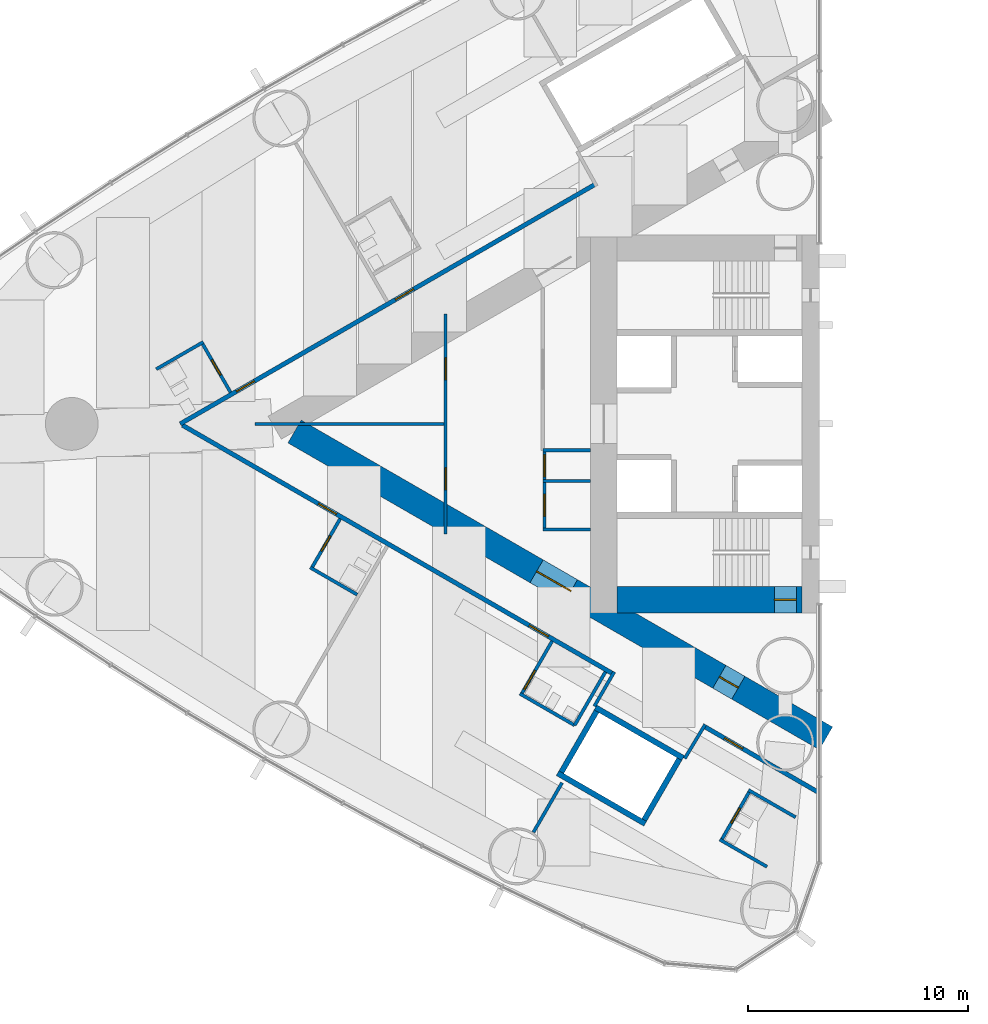
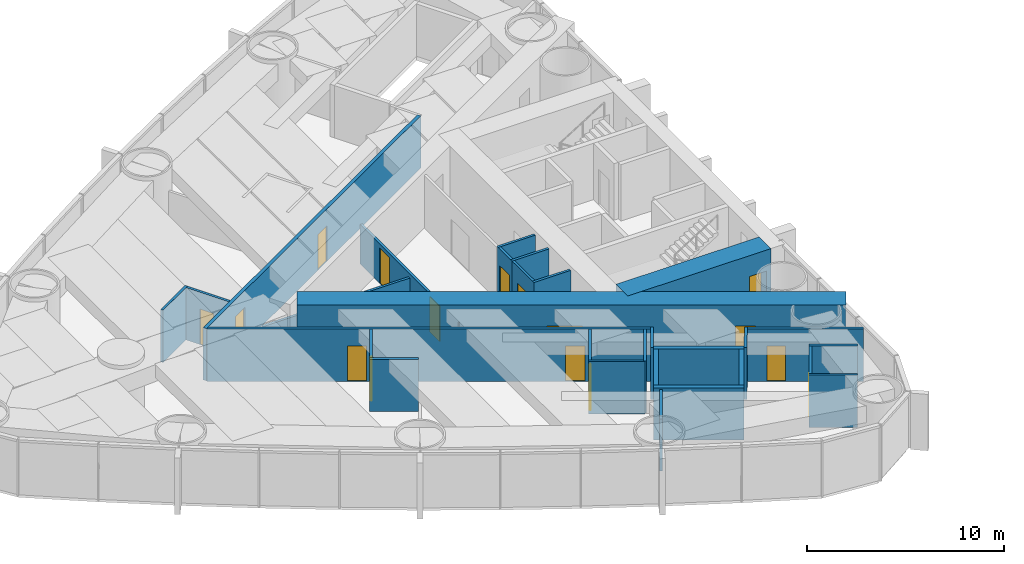
# One storey, part 11 of 18: 29 walls, 16 doors, 16 openings.
"""IFC4 building model written with IfcOpenShell, lengths in metres."""

from ifc_helpers import new_model, si_unit, direction, frame, frame_2d, origin, place, context, subcontext, project, spatial, rectangle, extrude, material, layer, layer_set, type_object, element, fill, save


model = new_model("IFC4")

# Units and contexts
model_context = context("Model", 3, precision=1e-05, world=origin(), true_north=direction((0.0, 1.0)))
body_context = subcontext(model_context, "Body", "Model", "MODEL_VIEW")
ifc_project = project(units=[si_unit("LENGTHUNIT", "METRE"), si_unit("AREAUNIT", "SQUARE_METRE"), si_unit("VOLUMEUNIT", "CUBIC_METRE"), si_unit("PLANEANGLEUNIT", "RADIAN"), si_unit("MASSUNIT", "GRAM", prefix="KILO")], contexts=[model_context])

# Site, building, storey
site_placement = place(None, origin())
site = spatial("IfcSite", under=ifc_project, at=site_placement, CompositionType="ELEMENT")
building_placement = place(site_placement, origin())
building = spatial("IfcBuilding", under=site, at=building_placement, Name="Lancet Gate Hotel", CompositionType="ELEMENT")
storey_placement = place(building_placement, frame((0.0, 0.0, 97.60009765625)))
storey = spatial("IfcBuildingStorey", under=building, at=storey_placement, Name="L25", CompositionType="ELEMENT", Elevation=97.60009765625)

# Wall
ifc_material_1 = material(Name="Moisture resistant board partition")
ifc_layer_1 = layer(ifc_material_1, 0.14990234375)
ifc_layer_set_1 = layer_set([ifc_layer_1], Name="Bathroom wall 150")
wall_type_1 = type_object("IfcWallType", Name="Bathroom wall 150", PredefinedType="PARTITIONING", material=ifc_layer_set_1)
wall_1_placement = place(storey_placement, frame((-55.51513671875, 3.725830078125, 0.0), z_axis=(0.0, 0.0, 1.0), x_axis=(-0.866006523861, -0.500032699561, 0.0)))
element("IfcWall", 1, at=wall_1_placement, inside=storey, type_object=wall_type_1, Name="T1 bathroom wall 150 L25", PredefinedType="PARTITIONING", context=body_context, shape_type="SweptSolid", body=[
    extrude(rectangle(XDim=2.474853515625, YDim=0.14990234375, at=frame_2d((1.2373046875, 0.0))), origin(), (0.0, 0.0, 1.0), 3.25),
])

# Wall, opening, door
wall_2_placement = place(storey_placement, frame((-54.280029296875, 1.4365234375, 0.0), z_axis=(0.0, 0.0, 1.0), x_axis=(-0.500006934395, 0.866021400173, 0.0)))
wall_2 = element("IfcWall", 2, at=wall_2_placement, inside=storey, type_object=wall_type_1, Name="T1 bathroom wall 150 L25", PredefinedType="PARTITIONING", context=body_context, shape_type="SweptSolid", body=[
    extrude(rectangle(XDim=2.60009765625, YDim=0.14990234375, at=frame_2d((1.300048828125, 0.0))), origin(), (0.0, 0.0, 1.0), 3.25),
])
opening_1_placement = place(wall_2_placement, frame((0.89990234375, 0.0, 0.0)))
opening_1 = element("IfcOpeningElement", 3, at=opening_1_placement, cuts=wall_2, Name="Opening 2503-B", PredefinedType="OPENING", context=body_context, shape_type="SweptSolid", body=[
    extrude(rectangle(XDim=0.800048828125, YDim=2.199951171875, at=frame_2d((0.39990234375, 1.10009765625))), frame((0.0, 0.0849609375, 0.0), z_axis=(0.0, -1.0, 0.0), x_axis=(1.0, 0.0, 0.0)), (0.0, 0.0, 1.0), 0.169921875),
])
ifc_material_2 = material(Name="Timber door set", Category="wood")
door_type_1 = type_object("IfcDoorType", Name="Bathroom door 800", OperationType="SINGLE_SWING_RIGHT", PredefinedType="DOOR", material=ifc_material_2)
door_1_placement = place(opening_1_placement, origin())
door_1 = element("IfcDoor", 4, at=door_1_placement, inside=storey, type_object=door_type_1, Name="2503-B", OperationType="SINGLE_SWING_RIGHT", OverallHeight=2.199951171875, OverallWidth=0.800048828125, PredefinedType="DOOR", context=body_context, shape_type="SweptSolid", body=[
    extrude(rectangle(XDim=0.800048828125, YDim=2.199951171875, at=frame_2d((0.39990234375, 1.10009765625))), frame((0.0, 0.02490234375, 0.0), z_axis=(0.0, -1.0, 0.0), x_axis=(1.0, 0.0, 0.0)), (0.0, 0.0, 1.0), 0.050048828125),
])
fill(opening_1, door_1)

# Wall
wall_3_placement = place(storey_placement, frame((-48.51611328125, -7.7666015625, 0.0), z_axis=(0.0, 0.0, 1.0), x_axis=(-0.866031185235, 0.4999899861, 0.0)))
element("IfcWall", 5, at=wall_3_placement, inside=storey, type_object=wall_type_1, Name="T1 bathroom wall 150 L25", PredefinedType="PARTITIONING", context=body_context, shape_type="SweptSolid", body=[
    extrude(rectangle(XDim=2.47509765625, YDim=0.14990234375, at=frame_2d((1.237548828125, 0.0))), origin(), (0.0, 0.0, 1.0), 3.25),
])

# Wall, opening, door
wall_4_placement = place(storey_placement, frame((-49.294677734375, -4.31494140625, 0.0), z_axis=(0.0, 0.0, 1.0), x_axis=(-0.499936506574, -0.866062058628, 0.0)))
wall_4 = element("IfcWall", 6, at=wall_4_placement, inside=storey, type_object=wall_type_1, Name="T1 bathroom wall 150 L25", PredefinedType="PARTITIONING", context=body_context, shape_type="SweptSolid", body=[
    extrude(rectangle(XDim=2.599853515625, YDim=0.14990234375, at=frame_2d((1.2998046875, 0.0))), origin(), (0.0, 0.0, 1.0), 3.25),
])
opening_2_placement = place(wall_4_placement, frame((0.89990234375, 0.0, 0.0)))
opening_2 = element("IfcOpeningElement", 7, at=opening_2_placement, cuts=wall_4, Name="Opening 2505-B", PredefinedType="OPENING", context=body_context, shape_type="SweptSolid", body=[
    extrude(rectangle(XDim=0.800048828125, YDim=2.199951171875, at=frame_2d((0.39990234375, 1.10009765625))), frame((0.0, 0.0849609375, 0.0), z_axis=(0.0, -1.0, 0.0), x_axis=(1.0, 0.0, 0.0)), (0.0, 0.0, 1.0), 0.169921875),
])
door_2_placement = place(opening_2_placement, origin())
door_2 = element("IfcDoor", 8, at=door_2_placement, inside=storey, type_object=door_type_1, Name="2505-B", OperationType="SINGLE_SWING_RIGHT", OverallHeight=2.199951171875, OverallWidth=0.800048828125, PredefinedType="DOOR", context=body_context, shape_type="SweptSolid", body=[
    extrude(rectangle(XDim=0.800048828125, YDim=2.199951171875, at=frame_2d((0.39990234375, 1.10009765625))), frame((0.0, 0.02490234375, 0.0), z_axis=(0.0, -1.0, 0.0), x_axis=(1.0, 0.0, 0.0)), (0.0, 0.0, 1.0), 0.050048828125),
])
fill(opening_2, door_2)

# Wall
wall_5_placement = place(storey_placement, frame((-38.630126953125, -13.705322265625, 0.0), z_axis=(0.0, 0.0, 1.0), x_axis=(-0.866018712932, 0.500011588718, 0.0)))
element("IfcWall", 9, at=wall_5_placement, inside=storey, type_object=wall_type_1, Name="T1 bathroom wall 150 L25", PredefinedType="PARTITIONING", context=body_context, shape_type="SweptSolid", body=[
    extrude(rectangle(XDim=2.875, YDim=0.14990234375, at=frame_2d((1.4375, 0.0))), origin(), (0.0, 0.0, 1.0), 3.25),
])

# Wall, opening, door
wall_6_placement = place(storey_placement, frame((-39.65478515625, -9.88037109375, 0.0), z_axis=(0.0, 0.0, 1.0), x_axis=(-0.500049511043, -0.865996816683, 0.0)))
wall_6 = element("IfcWall", 10, at=wall_6_placement, inside=storey, type_object=wall_type_1, Name="T1 bathroom wall 150 L25", PredefinedType="PARTITIONING", context=body_context, shape_type="SweptSolid", body=[
    extrude(rectangle(XDim=2.800048828125, YDim=0.14990234375, at=frame_2d((1.39990234375, 0.0))), origin(), (0.0, 0.0, 1.0), 3.25),
])
opening_3_placement = place(wall_6_placement, frame((1.550048828125, 0.0, 0.0)))
opening_3 = element("IfcOpeningElement", 11, at=opening_3_placement, cuts=wall_6, Name="Opening 2507-B", PredefinedType="OPENING", context=body_context, shape_type="SweptSolid", body=[
    extrude(rectangle(XDim=1.0, YDim=2.199951171875, at=frame_2d((0.5, 1.10009765625))), frame((0.0, 0.0849609375, 0.0), z_axis=(0.0, -1.0, 0.0), x_axis=(1.0, 0.0, 0.0)), (0.0, 0.0, 1.0), 0.169921875),
])
ifc_material_3 = material(Name="Timber door set", Category="wood")
door_type_2 = type_object("IfcDoorType", Name="Accessible en-suite door 1000", OperationType="SINGLE_SWING_RIGHT", PredefinedType="DOOR", material=ifc_material_3)
door_3_placement = place(opening_3_placement, origin())
door_3 = element("IfcDoor", 12, at=door_3_placement, inside=storey, type_object=door_type_2, Name="2507-B", OperationType="SINGLE_SWING_RIGHT", OverallHeight=2.199951171875, OverallWidth=1.0, PredefinedType="DOOR", context=body_context, shape_type="SweptSolid", body=[
    extrude(rectangle(XDim=1.0, YDim=2.199951171875, at=frame_2d((0.5, 1.10009765625))), frame((0.0, 0.02490234375, 0.0), z_axis=(0.0, -1.0, 0.0), x_axis=(1.0, 0.0, 0.0)), (0.0, 0.0, 1.0), 0.050048828125),
])
fill(opening_3, door_3)

# Walls
wall_7_placement = place(storey_placement, frame((-37.22998046875, -11.280517578125, 0.0), z_axis=(0.0, 0.0, 1.0), x_axis=(-0.500049511043, -0.865996816683, 0.0)))
element("IfcWall", 13, at=wall_7_placement, inside=storey, type_object=wall_type_1, Name="T1 bathroom wall 150 L25", PredefinedType="PARTITIONING", context=body_context, shape_type="SweptSolid", body=[
    extrude(rectangle(XDim=2.800048828125, YDim=0.14990234375, at=frame_2d((1.39990234375, 0.0))), origin(), (0.0, 0.0, 1.0), 3.25),
])
wall_8_placement = place(storey_placement, frame((-29.8818359375, -20.1416015625, 0.0), z_axis=(0.0, 0.0, 1.0), x_axis=(-0.866031185235, 0.4999899861, 0.0)))
element("IfcWall", 14, at=wall_8_placement, inside=storey, type_object=wall_type_1, Name="T1 bathroom wall 150 L25", PredefinedType="PARTITIONING", context=body_context, shape_type="SweptSolid", body=[
    extrude(rectangle(XDim=2.47509765625, YDim=0.14990234375, at=frame_2d((1.237548828125, 0.0))), origin(), (0.0, 0.0, 1.0), 3.25),
])

# Wall, opening, door
wall_9_placement = place(storey_placement, frame((-30.660400390625, -16.68994140625, 0.0), z_axis=(0.0, 0.0, 1.0), x_axis=(-0.499936506574, -0.866062058628, 0.0)))
wall_9 = element("IfcWall", 15, at=wall_9_placement, inside=storey, type_object=wall_type_1, Name="T1 bathroom wall 150 L25", PredefinedType="PARTITIONING", context=body_context, shape_type="SweptSolid", body=[
    extrude(rectangle(XDim=2.599853515625, YDim=0.14990234375, at=frame_2d((1.2998046875, 0.0))), origin(), (0.0, 0.0, 1.0), 3.25),
])
opening_4_placement = place(wall_9_placement, frame((0.89990234375, 0.0, 0.0)))
opening_4 = element("IfcOpeningElement", 16, at=opening_4_placement, cuts=wall_9, Name="Opening 2508-B", PredefinedType="OPENING", context=body_context, shape_type="SweptSolid", body=[
    extrude(rectangle(XDim=0.800048828125, YDim=2.199951171875, at=frame_2d((0.39990234375, 1.10009765625))), frame((0.0, 0.0849609375, 0.0), z_axis=(0.0, -1.0, 0.0), x_axis=(1.0, 0.0, 0.0)), (0.0, 0.0, 1.0), 0.169921875),
])
door_4_placement = place(opening_4_placement, origin())
door_4 = element("IfcDoor", 17, at=door_4_placement, inside=storey, type_object=door_type_1, Name="2508-B", OperationType="SINGLE_SWING_RIGHT", OverallHeight=2.199951171875, OverallWidth=0.800048828125, PredefinedType="DOOR", context=body_context, shape_type="SweptSolid", body=[
    extrude(rectangle(XDim=0.800048828125, YDim=2.199951171875, at=frame_2d((0.39990234375, 1.10009765625))), frame((0.0, 0.02490234375, 0.0), z_axis=(0.0, -1.0, 0.0), x_axis=(1.0, 0.0, 0.0)), (0.0, 0.0, 1.0), 0.050048828125),
])
fill(opening_4, door_4)

# Wall
wall_10_placement = place(storey_placement, frame((-28.581787109375, -17.889892578125, 0.0), z_axis=(0.0, 0.0, 1.0), x_axis=(-0.866073894602, 0.499916002032, 0.0)))
element("IfcWall", 18, at=wall_10_placement, inside=storey, type_object=wall_type_1, Name="T1 bathroom wall 150 L25", PredefinedType="PARTITIONING", context=body_context, shape_type="SweptSolid", body=[
    extrude(rectangle(XDim=2.47509765625, YDim=0.14990234375, at=frame_2d((1.237548828125, 0.0))), origin(), (0.0, 0.0, 1.0), 3.25),
])

# Wall, openings, doors
ifc_material_4 = material(Name="Concrete C70/85", Category="concrete")
ifc_layer_2 = layer(ifc_material_4, 1.199951171875)
ifc_layer_set_2 = layer_set([ifc_layer_2], Name="Buttress wall 1200")
wall_type_2 = type_object("IfcWallType", Name="Buttress wall 1200", PredefinedType="SHEAR", material=ifc_layer_set_2)
wall_11_placement = place(storey_placement, frame((-27.199951171875, -14.300048828125, 0.0), z_axis=(0.0, 0.0, 1.0), x_axis=(-0.866024021859, 0.500002393557, 0.0)))
wall_11 = element("IfcWall", 19, at=wall_11_placement, inside=storey, type_object=wall_type_2, Name="T1 buttress wall N L25", PredefinedType="SHEAR", context=body_context, shape_type="SweptSolid", body=[
    extrude(rectangle(XDim=27.906982421875, YDim=1.199951171875, at=frame_2d((13.95361328125, 0.0))), origin(), (0.0, 0.0, 1.0), 3.5),
])
opening_5_placement = place(wall_11_placement, frame((4.60009765625, 0.0, 0.0)))
opening_5 = element("IfcOpeningElement", 20, at=opening_5_placement, cuts=wall_11, Name="Opening T1-L25-LN", PredefinedType="OPENING", context=body_context, shape_type="SweptSolid", body=[
    extrude(rectangle(XDim=1.0, YDim=2.199951171875, at=frame_2d((0.5, 1.10009765625))), frame((0.0, 0.60986328125, 0.0), z_axis=(0.0, -1.0, 0.0), x_axis=(1.0, 0.0, 0.0)), (0.0, 0.0, 1.0), 1.219970703125),
])
opening_6_placement = place(wall_11_placement, frame((13.39453125, 0.0, 0.0)))
opening_6 = element("IfcOpeningElement", 21, at=opening_6_placement, cuts=wall_11, Name="Opening T1-L25-LHN", PredefinedType="OPENING", context=body_context, shape_type="SweptSolid", body=[
    extrude(rectangle(XDim=1.800048828125, YDim=2.199951171875, at=frame_2d((0.89990234375, 1.10009765625))), frame((0.0, 0.60986328125, 0.0), z_axis=(0.0, -1.0, 0.0), x_axis=(1.0, 0.0, 0.0)), (0.0, 0.0, 1.0), 1.219970703125),
])
ifc_material_5 = material(Name="Timber door set", Category="wood")
door_type_3 = type_object("IfcDoorType", Name="Lobby double door 1800", OperationType="DOUBLE_DOOR_SINGLE_SWING", PredefinedType="DOOR", material=ifc_material_5)
door_5_placement = place(opening_6_placement, origin())
door_5 = element("IfcDoor", 22, at=door_5_placement, inside=storey, type_object=door_type_3, Name="T1-L25-LHN", OperationType="DOUBLE_DOOR_SINGLE_SWING", OverallHeight=2.199951171875, OverallWidth=1.800048828125, PredefinedType="DOOR", context=body_context, shape_type="SweptSolid", body=[
    extrude(rectangle(XDim=1.800048828125, YDim=2.199951171875, at=frame_2d((0.89990234375, 1.10009765625))), frame((0.0, 0.02490234375, 0.0), z_axis=(0.0, -1.0, 0.0), x_axis=(1.0, 0.0, 0.0)), (0.0, 0.0, 1.0), 0.050048828125),
])
fill(opening_6, door_5)
ifc_material_6 = material(Name="Timber door set", Category="wood")
door_type_4 = type_object("IfcDoorType", Name="Stair lobby door 1000", OperationType="SINGLE_SWING_LEFT", PredefinedType="DOOR", material=ifc_material_6)
door_6_placement = place(opening_5_placement, origin())
door_6 = element("IfcDoor", 23, at=door_6_placement, inside=storey, type_object=door_type_4, Name="T1-L25-LN", OperationType="SINGLE_SWING_LEFT", OverallHeight=2.199951171875, OverallWidth=1.0, PredefinedType="DOOR", context=body_context, shape_type="SweptSolid", body=[
    extrude(rectangle(XDim=1.0, YDim=2.199951171875, at=frame_2d((0.5, 1.10009765625))), frame((0.0, 0.02490234375, 0.0), z_axis=(0.0, -1.0, 0.0), x_axis=(1.0, 0.0, 0.0)), (0.0, 0.0, 1.0), 0.050048828125),
])
fill(opening_5, door_6)

# Wall, opening, door
ifc_material_7 = material(Name="Concrete C70/85", Category="concrete")
ifc_layer_3 = layer(ifc_material_7, 1.199951171875)
ifc_layer_set_3 = layer_set([ifc_layer_3], Name="Core wall 1200")
wall_type_3 = type_object("IfcWallType", Name="Core wall 1200", PredefinedType="SHEAR", material=ifc_layer_set_3)
wall_12_placement = place(storey_placement, frame((-28.300048828125, -8.0, 0.0), z_axis=(0.0, 0.0, 1.0), x_axis=(-1.0, 0.0, 0.0)))
wall_12 = element("IfcWall", 24, at=wall_12_placement, inside=storey, type_object=wall_type_3, Name="T1 core wall side-N L25", PredefinedType="SHEAR", context=body_context, shape_type="SweptSolid", body=[
    extrude(rectangle(XDim=8.39990234375, YDim=1.199951171875, at=frame_2d((4.199951171875, 0.0))), origin(), (0.0, 0.0, 1.0), 3.5),
])
opening_7_placement = place(wall_12_placement, frame((0.25, 0.0, 0.0)))
opening_7 = element("IfcOpeningElement", 25, at=opening_7_placement, cuts=wall_12, Name="Opening T1-L25-ST2", PredefinedType="OPENING", context=body_context, shape_type="SweptSolid", body=[
    extrude(rectangle(XDim=1.0, YDim=2.199951171875, at=frame_2d((0.5, 1.10009765625))), frame((0.0, 0.60986328125, 0.0), z_axis=(0.0, -1.0, 0.0), x_axis=(1.0, 0.0, 0.0)), (0.0, 0.0, 1.0), 1.219970703125),
])
ifc_material_8 = material(Name="Timber door set", Category="wood")
door_type_5 = type_object("IfcDoorType", Name="Stair door 1000", OperationType="SINGLE_SWING_RIGHT", PredefinedType="DOOR", material=ifc_material_8)
door_7_placement = place(opening_7_placement, origin())
door_7 = element("IfcDoor", 26, at=door_7_placement, inside=storey, type_object=door_type_5, Name="T1-L25-ST2", OperationType="SINGLE_SWING_RIGHT", OverallHeight=2.199951171875, OverallWidth=1.0, PredefinedType="DOOR", context=body_context, shape_type="SweptSolid", body=[
    extrude(rectangle(XDim=1.0, YDim=2.199951171875, at=frame_2d((0.5, 1.10009765625))), frame((0.0, 0.02490234375, 0.0), z_axis=(0.0, -1.0, 0.0), x_axis=(1.0, 0.0, 0.0)), (0.0, 0.0, 1.0), 0.050048828125),
])
fill(opening_7, door_7)

# Wall, openings, doors
ifc_material_9 = material(Name="Gypsum board partition")
ifc_layer_4 = layer(ifc_material_9, 0.199951171875)
ifc_layer_set_4 = layer_set([ifc_layer_4], Name="Corridor wall 200")
wall_type_4 = type_object("IfcWallType", Name="Corridor wall 200", PredefinedType="PARTITIONING", material=ifc_layer_set_4)
wall_13_placement = place(storey_placement, frame((-37.699951171875, 10.8935546875, 0.0), z_axis=(0.0, 0.0, 1.0), x_axis=(-0.866027905338, -0.499995667157, 0.0)))
wall_13 = element("IfcWall", 27, at=wall_13_placement, inside=storey, type_object=wall_type_4, Name="T1 corridor wall 200 L25", PredefinedType="PARTITIONING", context=body_context, shape_type="SweptSolid", body=[
    extrude(rectangle(XDim=21.787353515625, YDim=0.199951171875, at=frame_2d((10.8935546875, 0.0))), origin(), (0.0, 0.0, 1.0), 3.25),
])
opening_8_placement = place(wall_13_placement, frame((17.88720703125, 0.0, 0.0)))
opening_8 = element("IfcOpeningElement", 28, at=opening_8_placement, cuts=wall_13, Name="Opening 2503-E", PredefinedType="OPENING", context=body_context, shape_type="SweptSolid", body=[
    extrude(rectangle(XDim=0.949951171875, YDim=2.199951171875, at=frame_2d((0.47509765625, 1.10009765625))), frame((0.0, 0.10986328125, 0.0), z_axis=(0.0, -1.0, 0.0), x_axis=(1.0, 0.0, 0.0)), (0.0, 0.0, 1.0), 0.219970703125),
])
opening_9_placement = place(wall_13_placement, frame((9.530517578125, 0.0, 0.0)))
opening_9 = element("IfcOpeningElement", 29, at=opening_9_placement, cuts=wall_13, Name="Opening 2502-E", PredefinedType="OPENING", context=body_context, shape_type="SweptSolid", body=[
    extrude(rectangle(XDim=0.949951171875, YDim=2.199951171875, at=frame_2d((0.47509765625, 1.10009765625))), frame((0.0, 0.10986328125, 0.0), z_axis=(0.0, -1.0, 0.0), x_axis=(1.0, 0.0, 0.0)), (0.0, 0.0, 1.0), 0.219970703125),
])
ifc_material_10 = material(Name="Timber door set", Category="wood")
door_type_6 = type_object("IfcDoorType", Name="Guest room entry door 950", OperationType="SINGLE_SWING_LEFT", PredefinedType="DOOR", material=ifc_material_10)
door_8_placement = place(opening_8_placement, origin())
door_8 = element("IfcDoor", 30, at=door_8_placement, inside=storey, type_object=door_type_6, Name="2503-E", OperationType="SINGLE_SWING_LEFT", OverallHeight=2.199951171875, OverallWidth=0.949951171875, PredefinedType="DOOR", context=body_context, shape_type="SweptSolid", body=[
    extrude(rectangle(XDim=0.949951171875, YDim=2.199951171875, at=frame_2d((0.47509765625, 1.10009765625))), frame((0.0, 0.02490234375, 0.0), z_axis=(0.0, -1.0, 0.0), x_axis=(1.0, 0.0, 0.0)), (0.0, 0.0, 1.0), 0.050048828125),
])
fill(opening_8, door_8)
door_9_placement = place(opening_9_placement, origin())
door_9 = element("IfcDoor", 31, at=door_9_placement, inside=storey, type_object=door_type_6, Name="2502-E", OperationType="SINGLE_SWING_LEFT", OverallHeight=2.199951171875, OverallWidth=0.949951171875, PredefinedType="DOOR", context=body_context, shape_type="SweptSolid", body=[
    extrude(rectangle(XDim=0.949951171875, YDim=2.199951171875, at=frame_2d((0.47509765625, 1.10009765625))), frame((0.0, 0.02490234375, 0.0), z_axis=(0.0, -1.0, 0.0), x_axis=(1.0, 0.0, 0.0)), (0.0, 0.0, 1.0), 0.050048828125),
])
fill(opening_9, door_9)

# Wall, opening, door
wall_14_placement = place(storey_placement, frame((-27.572021484375, -16.740966796875, 0.0), z_axis=(0.0, 0.0, 1.0), x_axis=(-0.866024464444, 0.500001626982, 0.0)))
wall_14 = element("IfcWall", 32, at=wall_14_placement, inside=storey, type_object=wall_type_4, Name="T1 corridor wall 200 L25", PredefinedType="PARTITIONING", context=body_context, shape_type="SweptSolid", body=[
    extrude(rectangle(XDim=5.955078125, YDim=0.199951171875, at=frame_2d((2.9775390625, 0.0))), origin(), (0.0, 0.0, 1.0), 3.25),
])
opening_10_placement = place(wall_14_placement, frame((3.949951171875, 0.0, 0.0)))
opening_10 = element("IfcOpeningElement", 33, at=opening_10_placement, cuts=wall_14, Name="Opening 2508-E", PredefinedType="OPENING", context=body_context, shape_type="SweptSolid", body=[
    extrude(rectangle(XDim=0.949951171875, YDim=2.199951171875, at=frame_2d((0.47509765625, 1.10009765625))), frame((0.0, 0.10986328125, 0.0), z_axis=(0.0, -1.0, 0.0), x_axis=(1.0, 0.0, 0.0)), (0.0, 0.0, 1.0), 0.219970703125),
])
door_10_placement = place(opening_10_placement, origin())
door_10 = element("IfcDoor", 34, at=door_10_placement, inside=storey, type_object=door_type_6, Name="2508-E", OperationType="SINGLE_SWING_LEFT", OverallHeight=2.199951171875, OverallWidth=0.949951171875, PredefinedType="DOOR", context=body_context, shape_type="SweptSolid", body=[
    extrude(rectangle(XDim=0.949951171875, YDim=2.199951171875, at=frame_2d((0.47509765625, 1.10009765625))), frame((0.0, 0.02490234375, 0.0), z_axis=(0.0, -1.0, 0.0), x_axis=(1.0, 0.0, 0.0)), (0.0, 0.0, 1.0), 0.050048828125),
])
fill(opening_10, door_10)

# Wall, openings, doors
wall_15_placement = place(storey_placement, frame((-36.920166015625, -11.34375, 0.0), z_axis=(0.0, 0.0, 1.0), x_axis=(-0.866028313256, 0.499994960614, 0.0)))
wall_15 = element("IfcWall", 35, at=wall_15_placement, inside=storey, type_object=wall_type_4, Name="T1 corridor wall 200 L25", PredefinedType="PARTITIONING", context=body_context, shape_type="SweptSolid", body=[
    extrude(rectangle(XDim=22.567626953125, YDim=0.199951171875, at=frame_2d((11.28369140625, 0.0))), origin(), (0.0, 0.0, 1.0), 3.25),
])
opening_11_placement = place(wall_15_placement, frame((14.48095703125, 0.0, 0.0)))
opening_11 = element("IfcOpeningElement", 36, at=opening_11_placement, cuts=wall_15, Name="Opening 2505-E", PredefinedType="OPENING", context=body_context, shape_type="SweptSolid", body=[
    extrude(rectangle(XDim=0.949951171875, YDim=2.199951171875, at=frame_2d((0.47509765625, 1.10009765625))), frame((0.0, 0.10986328125, 0.0), z_axis=(0.0, -1.0, 0.0), x_axis=(1.0, 0.0, 0.0)), (0.0, 0.0, 1.0), 0.219970703125),
])
opening_12_placement = place(wall_15_placement, frame((3.35009765625, 0.0, 0.0)))
opening_12 = element("IfcOpeningElement", 37, at=opening_12_placement, cuts=wall_15, Name="Opening 2507-E", PredefinedType="OPENING", context=body_context, shape_type="SweptSolid", body=[
    extrude(rectangle(XDim=1.0, YDim=2.199951171875, at=frame_2d((0.5, 1.10009765625))), frame((0.0, 0.10986328125, 0.0), z_axis=(0.0, -1.0, 0.0), x_axis=(1.0, 0.0, 0.0)), (0.0, 0.0, 1.0), 0.219970703125),
])
ifc_material_11 = material(Name="Timber door set", Category="wood")
door_type_7 = type_object("IfcDoorType", Name="Accessible guest room door 1000", OperationType="SINGLE_SWING_LEFT", PredefinedType="DOOR", material=ifc_material_11)
door_11_placement = place(opening_12_placement, origin())
door_11 = element("IfcDoor", 38, at=door_11_placement, inside=storey, type_object=door_type_7, Name="2507-E", OperationType="SINGLE_SWING_LEFT", OverallHeight=2.199951171875, OverallWidth=1.0, PredefinedType="DOOR", context=body_context, shape_type="SweptSolid", body=[
    extrude(rectangle(XDim=1.0, YDim=2.199951171875, at=frame_2d((0.5, 1.10009765625))), frame((0.0, 0.02490234375, 0.0), z_axis=(0.0, -1.0, 0.0), x_axis=(1.0, 0.0, 0.0)), (0.0, 0.0, 1.0), 0.050048828125),
])
fill(opening_12, door_11)
door_12_placement = place(opening_11_placement, origin())
door_12 = element("IfcDoor", 39, at=door_12_placement, inside=storey, type_object=door_type_6, Name="2505-E", OperationType="SINGLE_SWING_LEFT", OverallHeight=2.199951171875, OverallWidth=0.949951171875, PredefinedType="DOOR", context=body_context, shape_type="SweptSolid", body=[
    extrude(rectangle(XDim=0.949951171875, YDim=2.199951171875, at=frame_2d((0.47509765625, 1.10009765625))), frame((0.0, 0.02490234375, 0.0), z_axis=(0.0, -1.0, 0.0), x_axis=(1.0, 0.0, 0.0)), (0.0, 0.0, 1.0), 0.050048828125),
])
fill(opening_11, door_12)

# Walls
ifc_material_12 = material(Name="Gypsum board partition")
ifc_layer_5 = layer(ifc_material_12, 0.25)
ifc_layer_set_5 = layer_set([ifc_layer_5], Name="Lift shaft partition 250")
wall_type_5 = type_object("IfcWallType", Name="Lift shaft partition 250", PredefinedType="PARTITIONING", material=ifc_layer_set_5)
wall_16_placement = place(storey_placement, frame((-33.695556640625, -15.197265625, 0.0), z_axis=(0.0, 0.0, 1.0), x_axis=(-0.865976953817, 0.500083908417, 0.0)))
element("IfcWall", 40, at=wall_16_placement, inside=storey, type_object=wall_type_5, Name="T1 lift shaft wall EX L25", PredefinedType="PARTITIONING", context=body_context, shape_type="SweptSolid", body=[
    extrude(rectangle(XDim=4.599365234375, YDim=0.25, at=frame_2d((2.2998046875, 0.0))), origin(), (0.0, 0.0, 1.0), 3.25),
])
wall_17_placement = place(storey_placement, frame((-35.42041015625, -18.185791015625, 0.0), z_axis=(0.0, 0.0, 1.0), x_axis=(-0.865990227814, 0.50006092162, 0.0)))
element("IfcWall", 41, at=wall_17_placement, inside=storey, type_object=wall_type_5, Name="T1 lift shaft wall EX L25", PredefinedType="PARTITIONING", context=body_context, shape_type="SweptSolid", body=[
    extrude(rectangle(XDim=4.599609375, YDim=0.25, at=frame_2d((2.2998046875, 0.0))), origin(), (0.0, 0.0, 1.0), 3.25),
])
wall_18_placement = place(storey_placement, frame((-33.8662109375, -15.242919921875, 0.0), z_axis=(0.0, 0.0, 1.0), x_axis=(-0.499929347863, -0.866066190972, 0.0)))
element("IfcWall", 42, at=wall_18_placement, inside=storey, type_object=wall_type_5, Name="T1 lift shaft wall EX L25", PredefinedType="PARTITIONING", context=body_context, shape_type="SweptSolid", body=[
    extrude(rectangle(XDim=3.20068359375, YDim=0.25, at=frame_2d((1.600341796875, 0.0))), origin(), (0.0, 0.0, 1.0), 3.25),
])
wall_19_placement = place(storey_placement, frame((-37.6328125, -13.068115234375, 0.0), z_axis=(0.0, 0.0, 1.0), x_axis=(-0.499872130319, -0.866099216793, 0.0)))
element("IfcWall", 43, at=wall_19_placement, inside=storey, type_object=wall_type_5, Name="T1 lift shaft wall EX L25", PredefinedType="PARTITIONING", context=body_context, shape_type="SweptSolid", body=[
    extrude(rectangle(XDim=3.200439453125, YDim=0.25, at=frame_2d((1.60009765625, 0.0))), origin(), (0.0, 0.0, 1.0), 3.25),
])
ifc_material_13 = material(Name="Gypsum board partition")
ifc_layer_6 = layer(ifc_material_13, 0.14990234375)
ifc_layer_set_6 = layer_set([ifc_layer_6], Name="Party wall 150")
wall_type_6 = type_object("IfcWallType", Name="Party wall 150", PredefinedType="PARTITIONING", material=ifc_layer_set_6)
wall_20_placement = place(storey_placement, frame((-39.2021484375, -16.319580078125, 0.0), z_axis=(0.0, 0.0, 1.0), x_axis=(-0.49997716683, -0.86603858612, 0.0)))
element("IfcWall", 44, at=wall_20_placement, inside=storey, type_object=wall_type_6, Name="T1 party wall 150 L25", PredefinedType="PARTITIONING", context=body_context, shape_type="SweptSolid", body=[
    extrude(rectangle(XDim=2.599609375, YDim=0.14990234375, at=frame_2d((1.2998046875, 0.0))), origin(), (0.0, 0.0, 1.0), 3.25),
])
ifc_material_14 = material(Name="Gypsum board partition")
ifc_layer_7 = layer(ifc_material_14, 0.14990234375)
ifc_layer_set_7 = layer_set([ifc_layer_7], Name="Service room wall 150")
wall_type_7 = type_object("IfcWallType", Name="Service room wall 150", PredefinedType="PARTITIONING", material=ifc_layer_set_7)
wall_21_placement = place(storey_placement, frame((-36.831298828125, -11.27978515625, 0.0), z_axis=(0.0, 0.0, 1.0), x_axis=(-0.499937177781, -0.866061671171, 0.0)))
element("IfcWall", 45, at=wall_21_placement, inside=storey, type_object=wall_type_7, Name="T1 service room wall 150 L25", PredefinedType="PARTITIONING", context=body_context, shape_type="SweptSolid", body=[
    extrude(rectangle(XDim=1.804443359375, YDim=0.14990234375, at=frame_2d((0.90234375, 0.0))), origin(), (0.0, 0.0, 1.0), 3.25),
])
wall_22_placement = place(storey_placement, frame((-33.62060546875, -15.217529296875, 0.0), z_axis=(0.0, 0.0, 1.0), x_axis=(0.514336634837, 0.857588377991, 0.0)))
element("IfcWall", 46, at=wall_22_placement, inside=storey, type_object=wall_type_7, Name="T1 service room wall 150 L25", PredefinedType="PARTITIONING", context=body_context, shape_type="SweptSolid", body=[
    extrude(rectangle(XDim=1.80517578125, YDim=0.14990234375, at=frame_2d((0.902587890625, 0.0))), origin(), (0.0, 0.0, 1.0), 3.25),
])
for number, where, z_axis, x_axis, name in (
    (47, (-37.89990234375, -1.199951171875, 0.0), (0.0, 0.0, 1.0), (-1.0, 0.0, 0.0), "T1 service room wall 150 L25"),
    (48, (-37.89990234375, -2.60009765625, 0.0), (0.0, 0.0, 1.0), (-1.0, 0.0, 0.0), "T1 service room wall 150 L25"),
    (49, (-37.89990234375, -4.800048828125, 0.0), (0.0, 0.0, 1.0), (-1.0, 0.0, 0.0), "T1 service room wall 150 L25"),
):
    element("IfcWall", number, at=place(storey_placement, frame(where, z_axis=z_axis, x_axis=x_axis)), inside=storey, type_object=wall_type_7, Name=name, PredefinedType="PARTITIONING", context=body_context, shape_type="SweptSolid", body=[
        extrude(rectangle(XDim=2.175048828125, YDim=0.14990234375, at=frame_2d((1.08740234375, 0.0))), origin(), (0.0, 0.0, 1.0), 3.25),
    ])

# Wall, opening, door
wall_23_placement = place(storey_placement, frame((-40.0, -1.125, 0.0), z_axis=(0.0, 0.0, 1.0), x_axis=(0.0, -1.0, 0.0)))
wall_23 = element("IfcWall", 50, at=wall_23_placement, inside=storey, type_object=wall_type_7, Name="T1 service room wall 150 L25", PredefinedType="PARTITIONING", context=body_context, shape_type="SweptSolid", body=[
    extrude(rectangle(XDim=1.550048828125, YDim=0.14990234375, at=frame_2d((0.77490234375, 0.0))), origin(), (0.0, 0.0, 1.0), 3.25),
])
opening_13_placement = place(wall_23_placement, frame((0.27490234375, 0.0, 0.0)))
opening_13 = element("IfcOpeningElement", 51, at=opening_13_placement, cuts=wall_23, Name="Opening T1-L25-HRN0", PredefinedType="OPENING", context=body_context, shape_type="SweptSolid", body=[
    extrude(rectangle(XDim=1.0, YDim=2.199951171875, at=frame_2d((0.5, 1.10009765625))), frame((0.0, 0.0849609375, 0.0), z_axis=(0.0, -1.0, 0.0), x_axis=(1.0, 0.0, 0.0)), (0.0, 0.0, 1.0), 0.169921875),
])
ifc_material_15 = material(Name="Timber door set", Category="wood")
door_type_8 = type_object("IfcDoorType", Name="Service door 1000", OperationType="SINGLE_SWING_LEFT", PredefinedType="DOOR", material=ifc_material_15)
door_13_placement = place(opening_13_placement, origin())
door_13 = element("IfcDoor", 52, at=door_13_placement, inside=storey, type_object=door_type_8, Name="T1-L25-HRN0", OperationType="SINGLE_SWING_LEFT", OverallHeight=2.199951171875, OverallWidth=1.0, PredefinedType="DOOR", context=body_context, shape_type="SweptSolid", body=[
    extrude(rectangle(XDim=1.0, YDim=2.199951171875, at=frame_2d((0.5, 1.10009765625))), frame((0.0, 0.02490234375, 0.0), z_axis=(0.0, -1.0, 0.0), x_axis=(1.0, 0.0, 0.0)), (0.0, 0.0, 1.0), 0.050048828125),
])
fill(opening_13, door_13)

wall_24_placement = place(storey_placement, frame((-40.0, -2.52490234375, 0.0), z_axis=(0.0, 0.0, 1.0), x_axis=(0.0, -1.0, 0.0)))
wall_24 = element("IfcWall", 53, at=wall_24_placement, inside=storey, type_object=wall_type_7, Name="T1 service room wall 150 L25", PredefinedType="PARTITIONING", context=body_context, shape_type="SweptSolid", body=[
    extrude(rectangle(XDim=2.35009765625, YDim=0.14990234375, at=frame_2d((1.175048828125, 0.0))), origin(), (0.0, 0.0, 1.0), 3.25),
])
opening_14_placement = place(wall_24_placement, frame((0.675048828125, 0.0, 0.0)))
opening_14 = element("IfcOpeningElement", 54, at=opening_14_placement, cuts=wall_24, Name="Opening T1-L25-HRN1", PredefinedType="OPENING", context=body_context, shape_type="SweptSolid", body=[
    extrude(rectangle(XDim=1.0, YDim=2.199951171875, at=frame_2d((0.5, 1.10009765625))), frame((0.0, 0.0849609375, 0.0), z_axis=(0.0, -1.0, 0.0), x_axis=(1.0, 0.0, 0.0)), (0.0, 0.0, 1.0), 0.169921875),
])
door_14_placement = place(opening_14_placement, origin())
door_14 = element("IfcDoor", 55, at=door_14_placement, inside=storey, type_object=door_type_8, Name="T1-L25-HRN1", OperationType="SINGLE_SWING_LEFT", OverallHeight=2.199951171875, OverallWidth=1.0, PredefinedType="DOOR", context=body_context, shape_type="SweptSolid", body=[
    extrude(rectangle(XDim=1.0, YDim=2.199951171875, at=frame_2d((0.5, 1.10009765625))), frame((0.0, 0.02490234375, 0.0), z_axis=(0.0, -1.0, 0.0), x_axis=(1.0, 0.0, 0.0)), (0.0, 0.0, 1.0), 0.050048828125),
])
fill(opening_14, door_14)

# Wall, openings, doors
wall_25_placement = place(storey_placement, frame((-44.5, 5.004638671875, 0.0), z_axis=(0.0, 0.0, 1.0), x_axis=(0.0, -1.0, 0.0)))
wall_25 = element("IfcWall", 56, at=wall_25_placement, inside=storey, type_object=wall_type_7, Name="T1 service room wall 150 L25", PredefinedType="PARTITIONING", context=body_context, shape_type="SweptSolid", body=[
    extrude(rectangle(XDim=10.00927734375, YDim=0.14990234375, at=frame_2d((5.004638671875, 0.0))), origin(), (0.0, 0.0, 1.0), 2.449951171875),
])
opening_15_placement = place(wall_25_placement, frame((2.002197265625, 0.0, 0.0)))
opening_15 = element("IfcOpeningElement", 57, at=opening_15_placement, cuts=wall_25, Name="Opening T1-L25-SV", PredefinedType="OPENING", context=body_context, shape_type="SweptSolid", body=[
    extrude(rectangle(XDim=1.0, YDim=2.199951171875, at=frame_2d((0.5, 1.10009765625))), frame((0.0, 0.0849609375, 0.0), z_axis=(0.0, -1.0, 0.0), x_axis=(1.0, 0.0, 0.0)), (0.0, 0.0, 1.0), 0.169921875),
])
opening_16_placement = place(wall_25_placement, frame((7.0068359375, 0.0, 0.0)))
opening_16 = element("IfcOpeningElement", 58, at=opening_16_placement, cuts=wall_25, Name="Opening T1-L25-SV2", PredefinedType="OPENING", context=body_context, shape_type="SweptSolid", body=[
    extrude(rectangle(XDim=1.0, YDim=2.199951171875, at=frame_2d((0.5, 1.10009765625))), frame((0.0, 0.0849609375, 0.0), z_axis=(0.0, -1.0, 0.0), x_axis=(1.0, 0.0, 0.0)), (0.0, 0.0, 1.0), 0.169921875),
])
door_15_placement = place(opening_15_placement, origin())
door_15 = element("IfcDoor", 59, at=door_15_placement, inside=storey, type_object=door_type_8, Name="T1-L25-SV", OperationType="SINGLE_SWING_LEFT", OverallHeight=2.199951171875, OverallWidth=1.0, PredefinedType="DOOR", context=body_context, shape_type="SweptSolid", body=[
    extrude(rectangle(XDim=1.0, YDim=2.199951171875, at=frame_2d((0.5, 1.10009765625))), frame((0.0, 0.02490234375, 0.0), z_axis=(0.0, -1.0, 0.0), x_axis=(1.0, 0.0, 0.0)), (0.0, 0.0, 1.0), 0.050048828125),
])
fill(opening_15, door_15)
door_16_placement = place(opening_16_placement, origin())
door_16 = element("IfcDoor", 60, at=door_16_placement, inside=storey, type_object=door_type_8, Name="T1-L25-SV2", OperationType="SINGLE_SWING_LEFT", OverallHeight=2.199951171875, OverallWidth=1.0, PredefinedType="DOOR", context=body_context, shape_type="SweptSolid", body=[
    extrude(rectangle(XDim=1.0, YDim=2.199951171875, at=frame_2d((0.5, 1.10009765625))), frame((0.0, 0.02490234375, 0.0), z_axis=(0.0, -1.0, 0.0), x_axis=(1.0, 0.0, 0.0)), (0.0, 0.0, 1.0), 0.050048828125),
])
fill(opening_16, door_16)

# Wall
wall_26_placement = place(storey_placement, frame((-44.574951171875, 0.0, 0.0), z_axis=(0.0, 0.0, 1.0), x_axis=(-1.0, 0.0, 0.0)))
element("IfcWall", 61, at=wall_26_placement, inside=storey, type_object=wall_type_7, Name="T1 service room wall 150 L25", PredefinedType="PARTITIONING", context=body_context, shape_type="SweptSolid", body=[
    extrude(rectangle(XDim=8.59326171875, YDim=0.14990234375, at=frame_2d((4.296630859375, 0.0))), origin(), (0.0, 0.0, 1.0), 2.199951171875),
])

save(model, "model.ifc")
